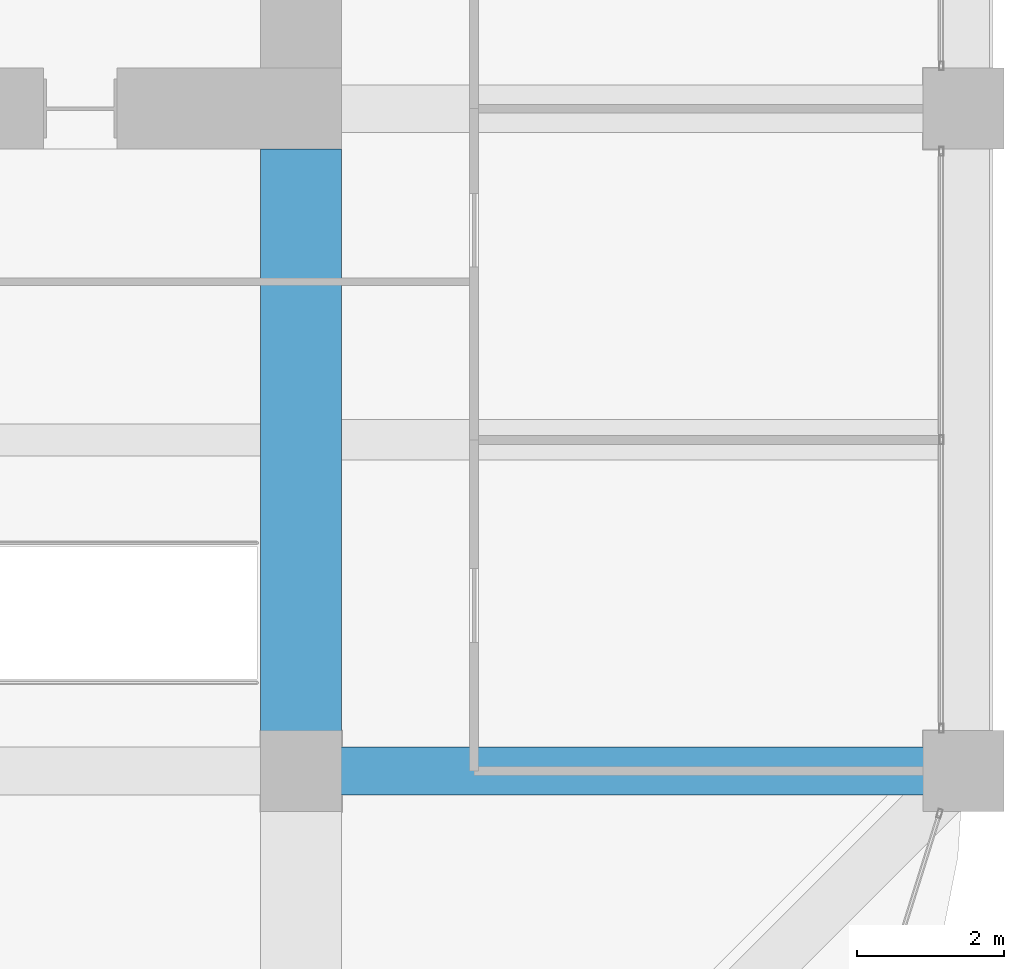
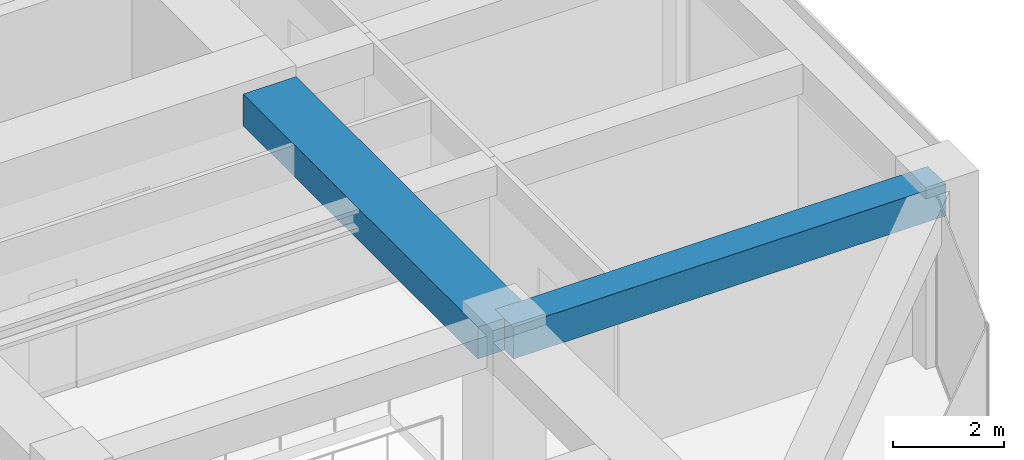
# One storey, part 21 of 44: 2 beams.
"""IFC4 building model written with IfcOpenShell, lengths in metres."""

from ifc_helpers import new_model, si_unit, direction, frame, origin, origin_2d, place, context, subcontext, project, spatial, rectangle, extrude, material, material_profile, profile_set, type_object, element, save


model = new_model("IFC4")

# Units and contexts
model_context = context("Model", 3, precision=1e-05, world=origin(), true_north=direction((0.0, 1.0)))
body_context = subcontext(model_context, "Body", "Model", "MODEL_VIEW")
ifc_project = project(units=[si_unit("LENGTHUNIT", "METRE"), si_unit("AREAUNIT", "SQUARE_METRE"), si_unit("VOLUMEUNIT", "CUBIC_METRE"), si_unit("PLANEANGLEUNIT", "RADIAN"), si_unit("MASSUNIT", "GRAM", prefix="KILO")], contexts=[model_context])

# Site, building, storey
site_placement = place(None, origin())
site = spatial("IfcSite", under=ifc_project, at=site_placement, CompositionType="ELEMENT")
building_placement = place(site_placement, origin())
building = spatial("IfcBuilding", under=site, at=building_placement, Name="Zorevar Civic Tower", CompositionType="ELEMENT")
storey_placement = place(building_placement, frame((0.0, 0.0, 255.39990234375)))
storey = spatial("IfcBuildingStorey", under=building, at=storey_placement, Name="L62", CompositionType="ELEMENT", Elevation=255.39990234375)

# Beams
ifc_material_1 = material(Name="Concrete C50/60", Category="concrete")
ifc_material_profile_1 = material_profile(ifc_material_1, rectangle(XDim=1.10009765625, YDim=0.699951171875, at=origin_2d()), Name="RC 1100x700")
ifc_profile_set_1 = profile_set([ifc_material_profile_1], Name="Concrete C50/60")
beam_type_1 = type_object("IfcBeamType", Name="Beam RC 1100x700", PredefinedType="BEAM", material=ifc_profile_set_1)
beam_1_placement = place(storey_placement, frame((45.0, 9.0, 3.400146484375), z_axis=(0.0, 1.0, 0.0), x_axis=(-1.0, 0.0, 0.0)))
element("IfcBeam", 1, at=beam_1_placement, inside=storey, type_object=beam_type_1, Name="Girder L63", PredefinedType="BEAM", context=body_context, shape_type="SweptSolid", body=[
    extrude(rectangle(XDim=1.10009765625, YDim=0.699951171875, at=origin_2d()), origin(), (0.0, 0.0, 1.0), 8.449951171875),
])
ifc_material_2 = material(Name="Concrete C50/60", Category="concrete")
ifc_material_profile_2 = material_profile(ifc_material_2, rectangle(XDim=0.64990234375, YDim=0.699951171875, at=origin_2d()), Name="RC 650x700")
ifc_profile_set_2 = profile_set([ifc_material_profile_2], Name="Concrete C50/60")
beam_type_2 = type_object("IfcBeamType", Name="Beam RC 650x700", PredefinedType="BEAM", material=ifc_profile_set_2)
beam_2_placement = place(storey_placement, frame((45.0, 9.0, 3.400146484375), z_axis=(1.0, 0.0, 0.0), x_axis=(0.0, 1.0, 0.0)))
element("IfcBeam", 2, at=beam_2_placement, inside=storey, type_object=beam_type_2, Name="Girder L63", PredefinedType="BEAM", context=body_context, shape_type="SweptSolid", body=[
    extrude(rectangle(XDim=0.64990234375, YDim=0.699951171875, at=origin_2d()), origin(), (0.0, 0.0, 1.0), 9.0),
])

save(model, "model.ifc")
